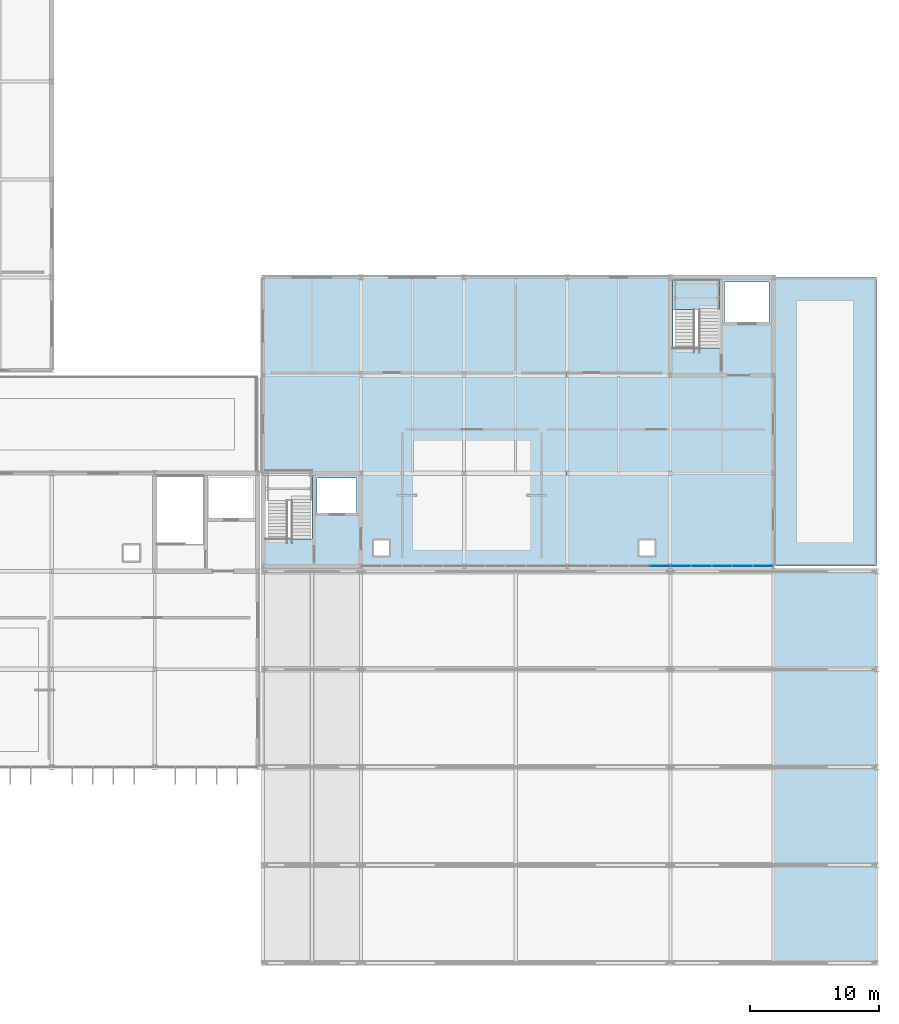
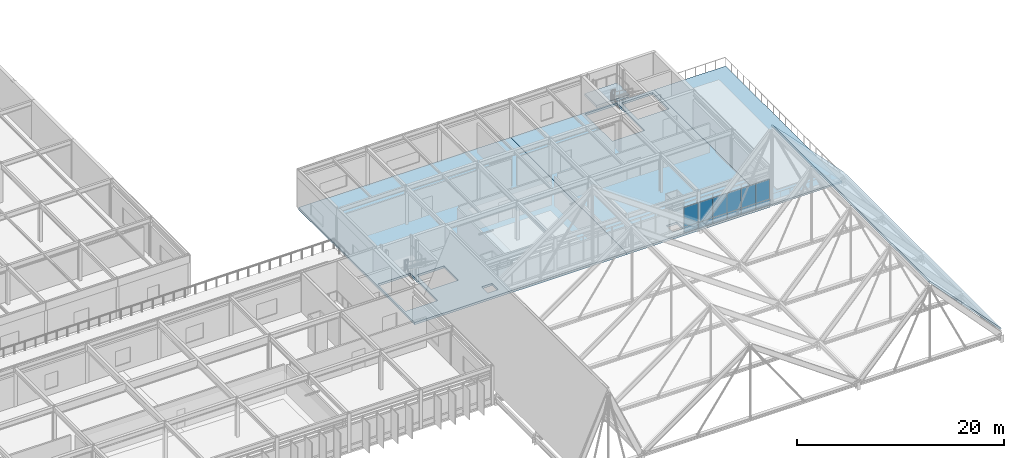
# One storey, part 75 of 100: 12 plates, 5 slabs, 3 elements without a shape of their own.
"""IFC4 building model written with IfcOpenShell, lengths in metres."""

from ifc_helpers import new_model, si_unit, direction, frame, origin, origin_2d, place, context, subcontext, project, spatial, polyline, rectangle, outline, extrude, material, layer, layer_set, type_object, element, aggregate, save


model = new_model("IFC4")

# Units and contexts
model_context = context("Model", 3, precision=1e-05, world=origin(), true_north=direction((0.0, 1.0)))
body_context = subcontext(model_context, "Body", "Model", "MODEL_VIEW")
ifc_project = project(units=[si_unit("LENGTHUNIT", "METRE"), si_unit("AREAUNIT", "SQUARE_METRE"), si_unit("VOLUMEUNIT", "CUBIC_METRE"), si_unit("PLANEANGLEUNIT", "RADIAN"), si_unit("MASSUNIT", "GRAM", prefix="KILO")], contexts=[model_context])

# Site, building, storey
site_placement = place(None, origin())
site = spatial("IfcSite", under=ifc_project, at=site_placement, CompositionType="ELEMENT")
building_placement = place(site_placement, origin())
building = spatial("IfcBuilding", under=site, at=building_placement, Name="Zulena Civic Courthouse", CompositionType="ELEMENT")
storey_placement = place(building_placement, frame((0.0, 0.0, 20.39990234375)))
storey = spatial("IfcBuildingStorey", under=building, at=storey_placement, Name="L04", CompositionType="ELEMENT", Elevation=20.39990234375)

# Slabs
ifc_material_1 = material(Name="Concrete C35/45", Category="concrete")
ifc_layer_1 = layer(ifc_material_1, 0.2548828125)
ifc_layer_set_1 = layer_set([ifc_layer_1], Name="Concrete C35/45")
slab_type_1 = type_object("IfcSlabType", Name="ArchiveSlab_255", PredefinedType="FLOOR", material=ifc_layer_set_1)
slab_1_placement = place(storey_placement, frame((0.0, 0.0, -0.2548828125)))
element("IfcSlab", 1, at=slab_1_placement, inside=storey, type_object=slab_type_1, Name="slab:V3:L04_1", PredefinedType="FLOOR", context=body_context, shape_type="SweptSolid", body=[
    extrude(outline(polyline([(124.39990234375, 30.800048828125), (124.39990234375, 53.199951171875), (148.0, 53.199951171875), (148.0, 30.800048828125), (124.39990234375, 30.800048828125)]), holes=[polyline([(124.590087890625, 38.2099609375), (124.590087890625, 32.919921875), (128.2099609375, 32.919921875), (128.2099609375, 38.2099609375), (124.590087890625, 38.2099609375)]), polyline([(131.64990234375, 37.64990234375), (128.60009765625, 37.64990234375), (128.60009765625, 34.89990234375), (131.64990234375, 34.89990234375), (131.64990234375, 37.64990234375)]), polyline([(133.0, 32.800048828125), (133.0, 31.60009765625), (134.199951171875, 31.60009765625), (134.199951171875, 32.800048828125), (133.0, 32.800048828125)])]), origin(), (0.0, 0.0, 1.0), 0.2548828125),
])
slab_2_placement = place(storey_placement, frame((0.0, 0.0, -0.2548828125)))
element("IfcSlab", 2, at=slab_2_placement, inside=storey, type_object=slab_type_1, Name="slab:V3:L04_2", PredefinedType="FLOOR", context=body_context, shape_type="SweptSolid", body=[
    extrude(outline(polyline([(164.0, 30.800048828125), (148.0, 30.800048828125), (148.0, 53.199951171875), (164.0, 53.199951171875), (164.0, 30.800048828125)]), holes=[polyline([(159.81005859375, 47.719970703125), (159.81005859375, 53.010009765625), (156.18994140625, 53.010009765625), (156.18994140625, 47.719970703125), (159.81005859375, 47.719970703125)]), polyline([(160.199951171875, 49.699951171875), (163.64990234375, 49.699951171875), (163.64990234375, 52.85009765625), (160.199951171875, 52.85009765625), (160.199951171875, 49.699951171875)]), polyline([(154.800048828125, 32.800048828125), (153.60009765625, 32.800048828125), (153.60009765625, 31.60009765625), (154.800048828125, 31.60009765625), (154.800048828125, 32.800048828125)])]), origin(), (0.0, 0.0, 1.0), 0.2548828125),
])

# Curtain wall, plates
ifc_material_2 = material(Name="Double-silver low-E laminated solar-control glass", Category="glass")
curtain_wall_type = type_object("IfcCurtainWallType", Name="CW_7976x3635", PredefinedType="USERDEFINED", material=ifc_material_2)
curtain_wall_1_placement = place(storey_placement, origin())
curtain_wall_1 = element("IfcCurtainWall", 3, at=curtain_wall_1_placement, inside=storey, type_object=curtain_wall_type, Name="cw:V3:L04:3:0", ObjectType="UNITISED CURTAIN WALL", PredefinedType="USERDEFINED")
ifc_material_3 = material(Name="Ceramic-fritted insulated spandrel glass", Category="glass")
ifc_layer_2 = layer(ifc_material_3, 0.0458984375)
ifc_layer_set_2 = layer_set([ifc_layer_2], Name="Ceramic-fritted insulated spandrel glass")
plate_type_1 = type_object("IfcPlateType", Name="CWPanel_Spandrel_46", PredefinedType="CURTAIN_PANEL", material=ifc_layer_set_2)
plate_1_placement = place(storey_placement, frame((163.1904296875, 30.800048828125, 0.070068359375), z_axis=(0.0, 0.0, 1.0), x_axis=(-1.0, 0.0, 0.0)))
plate_1 = element("IfcPlate", 4, at=plate_1_placement, type_object=plate_type_1, Name="cw:V3:L04:3:0:panS:0", PredefinedType="CURTAIN_PANEL", context=body_context, shape_type="SweptSolid", body=[
    extrude(rectangle(XDim=1.544921875, YDim=0.0458984375, at=origin_2d()), origin(), (0.0, 0.0, 1.0), 0.669921875),
])
plate_2_placement = place(storey_placement, frame((161.59521484375, 30.800048828125, 0.070068359375), z_axis=(0.0, 0.0, 1.0), x_axis=(-1.0, 0.0, 0.0)))
plate_2 = element("IfcPlate", 5, at=plate_2_placement, type_object=plate_type_1, Name="cw:V3:L04:3:0:panS:1", PredefinedType="CURTAIN_PANEL", context=body_context, shape_type="SweptSolid", body=[
    extrude(rectangle(XDim=1.544921875, YDim=0.0458984375, at=origin_2d()), origin(), (0.0, 0.0, 1.0), 0.669921875),
])
plate_3_placement = place(storey_placement, frame((160.0, 30.800048828125, 0.070068359375), z_axis=(0.0, 0.0, 1.0), x_axis=(-1.0, 0.0, 0.0)))
plate_3 = element("IfcPlate", 6, at=plate_3_placement, type_object=plate_type_1, Name="cw:V3:L04:3:0:panS:2", PredefinedType="CURTAIN_PANEL", context=body_context, shape_type="SweptSolid", body=[
    extrude(rectangle(XDim=1.544921875, YDim=0.0458984375, at=origin_2d()), origin(), (0.0, 0.0, 1.0), 0.669921875),
])
plate_4_placement = place(storey_placement, frame((158.40478515625, 30.800048828125, 0.070068359375), z_axis=(0.0, 0.0, 1.0), x_axis=(-1.0, 0.0, 0.0)))
plate_4 = element("IfcPlate", 7, at=plate_4_placement, type_object=plate_type_1, Name="cw:V3:L04:3:0:panS:3", PredefinedType="CURTAIN_PANEL", context=body_context, shape_type="SweptSolid", body=[
    extrude(rectangle(XDim=1.544921875, YDim=0.0458984375, at=origin_2d()), origin(), (0.0, 0.0, 1.0), 0.669921875),
])
plate_5_placement = place(storey_placement, frame((156.8095703125, 30.800048828125, 0.070068359375), z_axis=(0.0, 0.0, 1.0), x_axis=(-1.0, 0.0, 0.0)))
plate_5 = element("IfcPlate", 8, at=plate_5_placement, type_object=plate_type_1, Name="cw:V3:L04:3:0:panS:4", PredefinedType="CURTAIN_PANEL", context=body_context, shape_type="SweptSolid", body=[
    extrude(rectangle(XDim=1.544921875, YDim=0.0458984375, at=origin_2d()), origin(), (0.0, 0.0, 1.0), 0.669921875),
])

# Curtain wall, plate
curtain_wall_2_placement = place(storey_placement, origin())
curtain_wall_2 = element("IfcCurtainWall", 9, at=curtain_wall_2_placement, inside=storey, type_object=curtain_wall_type, Name="cw:V3:L04:3:1", ObjectType="UNITISED CURTAIN WALL", PredefinedType="USERDEFINED")
plate_6_placement = place(storey_placement, frame((155.1904296875, 30.800048828125, 0.070068359375), z_axis=(0.0, 0.0, 1.0), x_axis=(-1.0, 0.0, 0.0)))
plate_6 = element("IfcPlate", 10, at=plate_6_placement, type_object=plate_type_1, Name="cw:V3:L04:3:1:panS:0", PredefinedType="CURTAIN_PANEL", context=body_context, shape_type="SweptSolid", body=[
    extrude(rectangle(XDim=1.544921875, YDim=0.0458984375, at=origin_2d()), origin(), (0.0, 0.0, 1.0), 0.669921875),
])

# Plate
ifc_layer_3 = layer(ifc_material_2, 0.035888671875)
ifc_layer_set_3 = layer_set([ifc_layer_3], Name="Double-silver low-E laminated solar-control glass")
plate_type_2 = type_object("IfcPlateType", Name="CWPanel_Vision_36", PredefinedType="CURTAIN_PANEL", material=ifc_layer_set_3)
plate_7_placement = place(storey_placement, frame((163.1904296875, 30.800048828125, 0.760009765625), z_axis=(0.0, 0.0, 1.0), x_axis=(-1.0, 0.0, 0.0)))
plate_7 = element("IfcPlate", 11, at=plate_7_placement, type_object=plate_type_2, Name="cw:V3:L04:3:0:panV:0", PredefinedType="CURTAIN_PANEL", context=body_context, shape_type="SweptSolid", body=[
    extrude(rectangle(XDim=1.544921875, YDim=0.035888671875, at=origin_2d()), origin(), (0.0, 0.0, 1.0), 2.31494140625),
])

plate_8_placement = place(storey_placement, frame((161.59521484375, 30.800048828125, 0.760009765625), z_axis=(0.0, 0.0, 1.0), x_axis=(-1.0, 0.0, 0.0)))
plate_8 = element("IfcPlate", 12, at=plate_8_placement, type_object=plate_type_2, Name="cw:V3:L04:3:0:panV:1", PredefinedType="CURTAIN_PANEL", context=body_context, shape_type="SweptSolid", body=[
    extrude(rectangle(XDim=1.544921875, YDim=0.035888671875, at=origin_2d()), origin(), (0.0, 0.0, 1.0), 2.31494140625),
])

plate_9_placement = place(storey_placement, frame((160.0, 30.800048828125, 0.760009765625), z_axis=(0.0, 0.0, 1.0), x_axis=(-1.0, 0.0, 0.0)))
plate_9 = element("IfcPlate", 13, at=plate_9_placement, type_object=plate_type_2, Name="cw:V3:L04:3:0:panV:2", PredefinedType="CURTAIN_PANEL", context=body_context, shape_type="SweptSolid", body=[
    extrude(rectangle(XDim=1.544921875, YDim=0.035888671875, at=origin_2d()), origin(), (0.0, 0.0, 1.0), 2.31494140625),
])

plate_10_placement = place(storey_placement, frame((158.40478515625, 30.800048828125, 0.760009765625), z_axis=(0.0, 0.0, 1.0), x_axis=(-1.0, 0.0, 0.0)))
plate_10 = element("IfcPlate", 14, at=plate_10_placement, type_object=plate_type_2, Name="cw:V3:L04:3:0:panV:3", PredefinedType="CURTAIN_PANEL", context=body_context, shape_type="SweptSolid", body=[
    extrude(rectangle(XDim=1.544921875, YDim=0.035888671875, at=origin_2d()), origin(), (0.0, 0.0, 1.0), 2.31494140625),
])

plate_11_placement = place(storey_placement, frame((156.8095703125, 30.800048828125, 0.760009765625), z_axis=(0.0, 0.0, 1.0), x_axis=(-1.0, 0.0, 0.0)))
plate_11 = element("IfcPlate", 15, at=plate_11_placement, type_object=plate_type_2, Name="cw:V3:L04:3:0:panV:4", PredefinedType="CURTAIN_PANEL", context=body_context, shape_type="SweptSolid", body=[
    extrude(rectangle(XDim=1.544921875, YDim=0.035888671875, at=origin_2d()), origin(), (0.0, 0.0, 1.0), 2.31494140625),
])

aggregate(curtain_wall_1, [plate_7, plate_1, plate_8, plate_2, plate_9, plate_3, plate_10, plate_4, plate_11, plate_5])

plate_12_placement = place(storey_placement, frame((155.1904296875, 30.800048828125, 0.760009765625), z_axis=(0.0, 0.0, 1.0), x_axis=(-1.0, 0.0, 0.0)))
plate_12 = element("IfcPlate", 16, at=plate_12_placement, type_object=plate_type_2, Name="cw:V3:L04:3:1:panV:0", PredefinedType="CURTAIN_PANEL", context=body_context, shape_type="SweptSolid", body=[
    extrude(rectangle(XDim=1.544921875, YDim=0.035888671875, at=origin_2d()), origin(), (0.0, 0.0, 1.0), 2.31494140625),
])

aggregate(curtain_wall_2, [plate_12, plate_6])

# Slab
ifc_layer_4 = layer(ifc_material_1, 0.175048828125)
ifc_layer_set_4 = layer_set([ifc_layer_4], Name="Concrete C35/45")
slab_type_2 = type_object("IfcSlabType", Name="FoldedRoofPlate_175", PredefinedType="ROOF", material=ifc_layer_set_4)
slab_3_placement = place(storey_placement, frame((164.0, 0.0, 9.75), z_axis=(0.724133926887, 0.0, 0.689659376744), x_axis=(0.689659376744, 0.0, -0.724133926887)))
element("IfcSlab", 17, at=slab_3_placement, inside=storey, type_object=slab_type_2, Name="slab:folded:07E", PredefinedType="ROOF", context=body_context, shape_type="SweptSolid", body=[
    extrude(outline(polyline([(0.0, 0.0), (11.599929283600687, 0.0), (11.599929283600687, 30.39990234375), (0.0, 30.39990234375), (0.0, 0.0)])), origin(), (0.0, 0.0, -1.0), 0.175048828125),
])

# Stair, slab
ifc_material_4 = material(Name="Precast concrete C40/50", Category="concrete")
stair_type = type_object("IfcStairType", Name="HalfTurnStair_4800", PredefinedType="HALF_TURN_STAIR", material=ifc_material_4)
stair_placement = place(storey_placement, origin())
stair = element("IfcStair", 18, at=stair_placement, inside=storey, type_object=stair_type, Name="stair:K3B:L04", PredefinedType="HALF_TURN_STAIR")
ifc_layer_5 = layer(ifc_material_4, 0.280029296875)
ifc_layer_set_5 = layer_set([ifc_layer_5], Name="Precast concrete C40/50")
slab_type_3 = type_object("IfcSlabType", Name="StairLandingSlab_280", PredefinedType="LANDING", material=ifc_layer_set_5)
slab_4_placement = place(storey_placement, frame((0.0, 0.0, 2.1201171875)))
slab_4 = element("IfcSlab", 19, at=slab_4_placement, type_object=slab_type_3, Name="stair:K3B:L04:LND", PredefinedType="LANDING", context=body_context, shape_type="SweptSolid", body=[
    extrude(outline(polyline([(156.179931640625, 50.694580078125), (159.820068359375, 50.694580078125), (159.820068359375, 53.02001953125), (156.179931640625, 53.02001953125), (156.179931640625, 50.694580078125)])), origin(), (0.0, 0.0, 1.0), 0.280029296875),
])
aggregate(stair, [slab_4])

# Slab
ifc_layer_6 = layer(ifc_material_1, 0.2099609375)
ifc_layer_set_6 = layer_set([ifc_layer_6], Name="Concrete C35/45")
slab_type_4 = type_object("IfcSlabType", Name="TerraceSlab_210", PredefinedType="FLOOR", material=ifc_layer_set_6)
slab_5_placement = place(storey_placement, frame((0.0, 0.0, -0.2099609375)))
element("IfcSlab", 20, at=slab_5_placement, inside=storey, type_object=slab_type_4, Name="slab:terrace:TR-V3-L04", PredefinedType="FLOOR", context=body_context, shape_type="SweptSolid", body=[
    extrude(outline(polyline([(164.0, 30.800048828125), (172.0, 30.800048828125), (172.0, 53.199951171875), (164.0, 53.199951171875), (164.0, 30.800048828125)])), origin(), (0.0, 0.0, 1.0), 0.2099609375),
])

save(model, "model.ifc")
